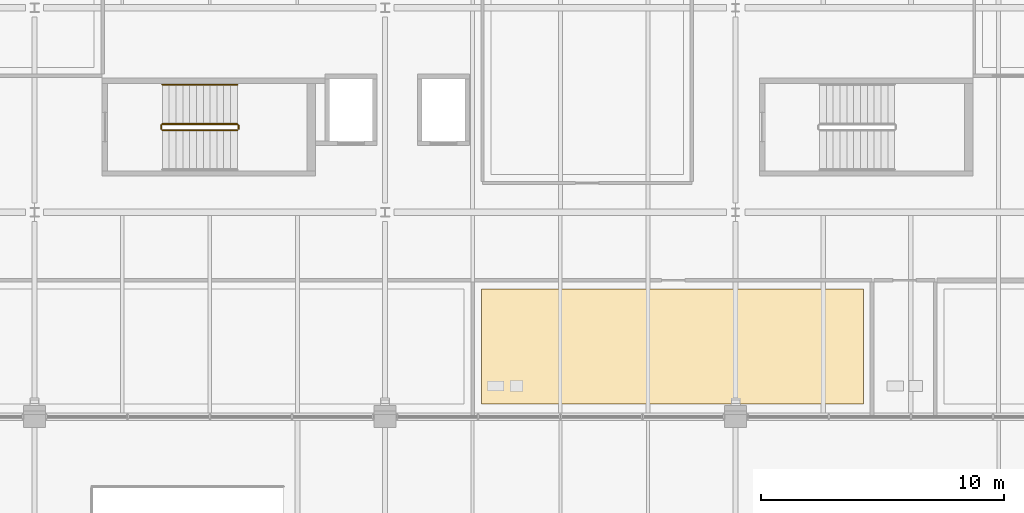
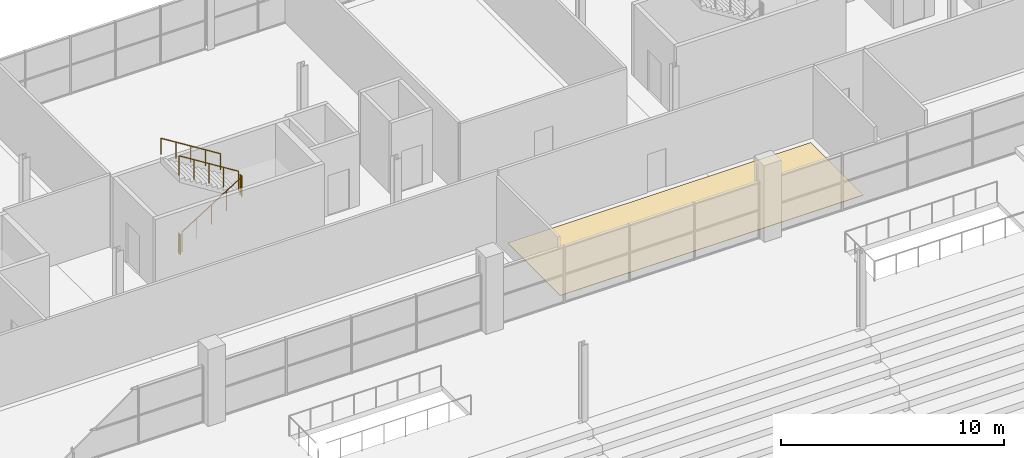
# One storey, part 157 of 161: 5 railings, 1 covering.
"""IFC4 building model written with IfcOpenShell, lengths in metres."""

from ifc_helpers import new_model, si_unit, direction, frame, origin, origin_2d, place, context, subcontext, project, spatial, polyline, circle, outline, extrude, material, layer, layer_set, type_object, element, save


model = new_model("IFC4")

# Units and contexts
model_context = context("Model", 3, precision=1e-05, world=origin(), true_north=direction((0.0, 1.0)))
body_context = subcontext(model_context, "Body", "Model", "MODEL_VIEW")
ifc_project = project(units=[si_unit("LENGTHUNIT", "METRE"), si_unit("AREAUNIT", "SQUARE_METRE"), si_unit("VOLUMEUNIT", "CUBIC_METRE"), si_unit("PLANEANGLEUNIT", "RADIAN"), si_unit("MASSUNIT", "GRAM", prefix="KILO"), si_unit("THERMODYNAMICTEMPERATUREUNIT", "KELVIN")], contexts=[model_context])

# Site, building, storey
site_placement = place(None, origin())
site = spatial("IfcSite", under=ifc_project, at=site_placement, CompositionType="ELEMENT")
building_placement = place(site_placement, origin())
building = spatial("IfcBuilding", under=site, at=building_placement, Name="Nduvali Passage Aquatics Centre", CompositionType="ELEMENT")
storey_placement = place(building_placement, frame((0.0, 0.0, 4.800048828125)))
storey = spatial("IfcBuildingStorey", under=building, at=storey_placement, Name="L01", CompositionType="ELEMENT", Elevation=4.800048828125)

# Covering
ifc_material_1 = material(Name="Anti-slip ceramic pool deck tile")
ifc_layer = layer(ifc_material_1, 0.02490234375, Name="Anti-slip ceramic pool deck tile")
ifc_layer_set = layer_set([ifc_layer], Name="Anti-slip ceramic pool deck tile")
covering_type = type_object("IfcCoveringType", Name="INT-COV-TILE", PredefinedType="FLOORING", material=ifc_layer_set)
covering_placement = place(storey_placement, origin())
element("IfcCovering", 1, at=covering_placement, inside=storey, type_object=covering_type, Name="L01 Fitness Gym Toilets and Showers Floor Finish", PredefinedType="FLOORING", context=body_context, shape_type="SweptSolid", body=[
    extrude(outline(polyline([(86.75, 92.909912109375), (102.449951171875, 92.909912109375), (102.449951171875, 97.64990234375), (86.75, 97.64990234375), (86.75, 92.909912109375)])), origin(), (0.0, 0.0, 1.0), 0.02490234375),
])

# Railings
ifc_material_2 = material(Name="Stainless steel balustrade", Category="steel")
railing_type_1 = type_object("IfcRailingType", Name="INT-RLG-GRD110", PredefinedType="GUARDRAIL", material=ifc_material_2)
railing_1_placement = place(storey_placement, frame((73.64990234375, 104.169921875, 0.175048828125)))
element("IfcRailing", 2, at=railing_1_placement, inside=storey, type_object=railing_type_1, Name="L01 ST1 stair guard 1", PredefinedType="GUARDRAIL", context=body_context, shape_type="SweptSolid", body=[
    extrude(circle(Radius=0.02392578125, at=origin_2d()), frame((0.0, 0.0, 1.076171875), z_axis=(0.848028513186, 0.0, 0.529950602248), x_axis=(0.0, 1.0, 0.0)), (0.0, 0.0, 1.0), 3.632080078125),
    extrude(circle(Radius=0.02099609375, at=origin_2d()), origin(), (0.0, 0.0, 1.0), 1.052001953125),
    extrude(circle(Radius=0.02099609375, at=origin_2d()), frame((0.77001953125, 0.0, 0.481201171875)), (0.0, 0.0, 1.0), 1.052001953125),
    extrude(circle(Radius=0.02099609375, at=origin_2d()), frame((1.5400390625, 0.0, 0.96240234375)), (0.0, 0.0, 1.0), 1.052001953125),
    extrude(circle(Radius=0.02099609375, at=origin_2d()), frame((2.31005859375, 0.0, 1.443603515625)), (0.0, 0.0, 1.0), 1.052001953125),
    extrude(circle(Radius=0.02099609375, at=origin_2d()), frame((3.080078125, 0.0, 1.9248046875)), (0.0, 0.0, 1.0), 1.052001953125),
])
railing_2_placement = place(storey_placement, frame((76.780029296875, 104.219970703125, 2.099853515625)))
element("IfcRailing", 3, at=railing_2_placement, inside=storey, type_object=railing_type_1, Name="L01 ST1 stair guard 2", PredefinedType="GUARDRAIL", context=body_context, shape_type="SweptSolid", body=[
    extrude(circle(Radius=0.02392578125, at=origin_2d()), frame((0.0, 0.0, 1.076171875), z_axis=(0.0, 1.0, 0.0), x_axis=(-1.0, 0.0, 0.0)), (0.0, 0.0, 1.0), 0.150146484375),
    extrude(circle(Radius=0.02099609375, at=origin_2d()), origin(), (0.0, 0.0, 1.0), 1.052001953125),
    extrude(circle(Radius=0.02099609375, at=origin_2d()), frame((0.0, 0.150146484375, 0.0)), (0.0, 0.0, 1.0), 1.052001953125),
])
railing_3_placement = place(storey_placement, frame((76.72998046875, 104.419921875, 2.27490234375)))
element("IfcRailing", 4, at=railing_3_placement, inside=storey, type_object=railing_type_1, Name="L01 ST1 stair guard 3", PredefinedType="GUARDRAIL", context=body_context, shape_type="SweptSolid", body=[
    extrude(circle(Radius=0.02392578125, at=origin_2d()), frame((0.0, 0.0, 1.076171875), z_axis=(-0.847998304005, 0.0, 0.529998940003), x_axis=(0.0, -1.0, 0.0)), (0.0, 0.0, 1.0), 3.632080078125),
    extrude(circle(Radius=0.02099609375, at=origin_2d()), origin(), (0.0, 0.0, 1.0), 1.052001953125),
    extrude(circle(Radius=0.02099609375, at=origin_2d()), frame((-0.77001953125, 0.0, 0.481201171875)), (0.0, 0.0, 1.0), 1.052001953125),
    extrude(circle(Radius=0.02099609375, at=origin_2d()), frame((-1.5400390625, 0.0, 0.96240234375)), (0.0, 0.0, 1.0), 1.052001953125),
    extrude(circle(Radius=0.02099609375, at=origin_2d()), frame((-2.31005859375, 0.0, 1.44384765625)), (0.0, 0.0, 1.0), 1.052001953125),
    extrude(circle(Radius=0.02099609375, at=origin_2d()), frame((-3.080078125, 0.0, 1.925048828125)), (0.0, 0.0, 1.0), 1.052001953125),
])
railing_4_placement = place(storey_placement, frame((73.60009765625, 104.219970703125, 0.0)))
element("IfcRailing", 5, at=railing_4_placement, inside=storey, type_object=railing_type_1, Name="L01 ST1 stair guard 4", PredefinedType="GUARDRAIL", context=body_context, shape_type="SweptSolid", body=[
    extrude(circle(Radius=0.02392578125, at=origin_2d()), frame((0.0, 0.0, 1.076171875), z_axis=(0.0, 1.0, 0.0), x_axis=(-1.0, 0.0, 0.0)), (0.0, 0.0, 1.0), 0.150146484375),
    extrude(circle(Radius=0.02099609375, at=origin_2d()), origin(), (0.0, 0.0, 1.0), 1.052001953125),
    extrude(circle(Radius=0.02099609375, at=origin_2d()), frame((0.0, 0.150146484375, 0.0)), (0.0, 0.0, 1.0), 1.052001953125),
])
railing_type_2 = type_object("IfcRailingType", Name="INT-RLG-HND90", PredefinedType="HANDRAIL", material=ifc_material_2)
railing_5_placement = place(storey_placement, frame((76.72998046875, 106.0400390625, 2.45361328125)))
element("IfcRailing", 6, at=railing_5_placement, inside=storey, type_object=railing_type_2, Name="L01 ST1 stair handrail 2", PredefinedType="HANDRAIL", context=body_context, shape_type="SweptSolid", body=[
    extrude(circle(Radius=0.02392578125, at=origin_2d()), frame((0.0, 0.0, 0.8759765625), z_axis=(-0.847998304005, 0.0, 0.529998940003), x_axis=(0.0, -1.0, 0.0)), (0.0, 0.0, 1.0), 3.632080078125),
    extrude(circle(Radius=0.02099609375, at=origin_2d()), origin(), (0.0, 0.0, 1.0), 0.851806640625),
    extrude(circle(Radius=0.02099609375, at=origin_2d()), frame((-0.77001953125, 0.0, 0.481201171875)), (0.0, 0.0, 1.0), 0.851806640625),
    extrude(circle(Radius=0.02099609375, at=origin_2d()), frame((-1.5400390625, 0.0, 0.96240234375)), (0.0, 0.0, 1.0), 0.851806640625),
    extrude(circle(Radius=0.02099609375, at=origin_2d()), frame((-2.31005859375, 0.0, 1.44384765625)), (0.0, 0.0, 1.0), 0.851806640625),
    extrude(circle(Radius=0.02099609375, at=origin_2d()), frame((-3.080078125, 0.0, 1.925048828125)), (0.0, 0.0, 1.0), 0.851806640625),
])

save(model, "model.ifc")
